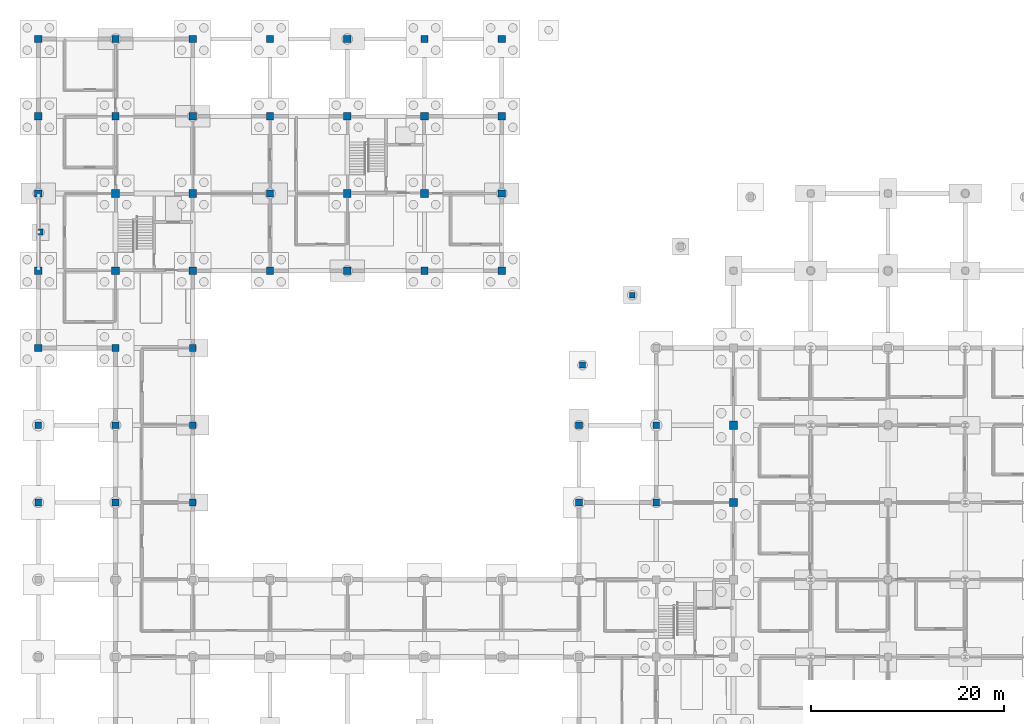
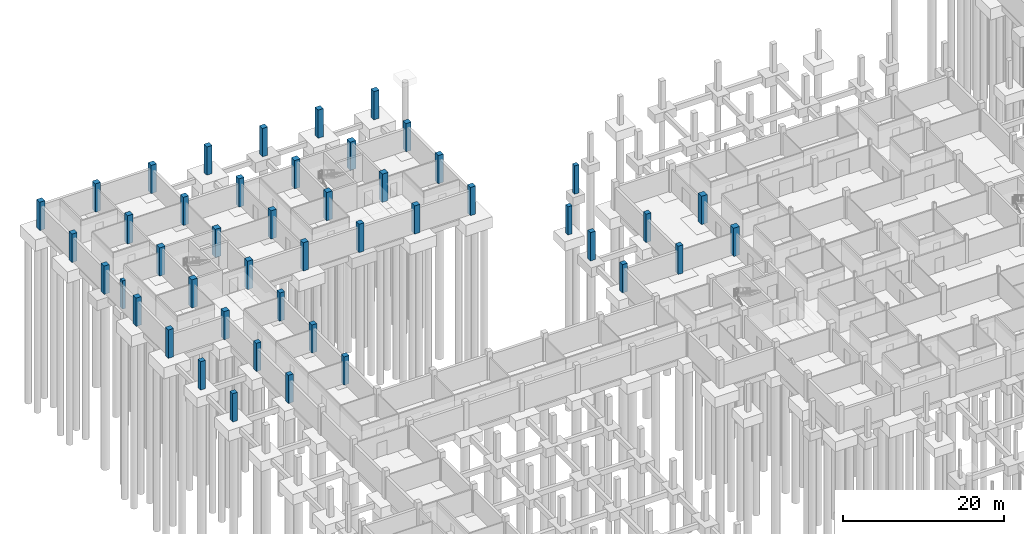
# One storey, part 19 of 48: 46 columns.
"""IFC4 building model written with IfcOpenShell, lengths in metres."""

from ifc_helpers import new_model, si_unit, derived_unit, direction, frame, origin, origin_2d, place, context, subcontext, project, spatial, rectangle, extrude, material, material_profile, profile_set, type_object, element, save


model = new_model("IFC4")

# Units and contexts
model_context = context("Model", 3, precision=1e-05, world=origin(), true_north=direction((0.0, 1.0)))
body_context = subcontext(model_context, "Body", "Model", "MODEL_VIEW")
ifc_project = project(units=[si_unit("LENGTHUNIT", "METRE"), si_unit("AREAUNIT", "SQUARE_METRE"), si_unit("VOLUMEUNIT", "CUBIC_METRE"), si_unit("PLANEANGLEUNIT", "RADIAN"), si_unit("MASSUNIT", "GRAM", prefix="KILO"), derived_unit("THERMALTRANSMITTANCEUNIT", [(si_unit("MASSUNIT", "GRAM", prefix="KILO"), 1), (si_unit("TIMEUNIT", "SECOND"), -3), (si_unit("THERMODYNAMICTEMPERATUREUNIT", "KELVIN"), -1)])], contexts=[model_context])

# Site, building, storey
site_placement = place(None, origin())
site = spatial("IfcSite", under=ifc_project, at=site_placement, CompositionType="ELEMENT")
building_placement = place(site_placement, origin())
building = spatial("IfcBuilding", under=site, at=building_placement, Name="Veyamyaing Civic Hall", CompositionType="ELEMENT")
storey_placement = place(building_placement, frame((0.0, 0.0, -4.2900390625)))
storey = spatial("IfcBuildingStorey", under=building, at=storey_placement, Name="B1", CompositionType="ELEMENT", Elevation=-4.2900390625)

# Columns
ifc_material = material(Name="Concrete C45/55", Category="concrete")
ifc_material_profile_1 = material_profile(ifc_material, rectangle(XDim=0.85009765625, YDim=0.85009765625, at=origin_2d()), Name="RC-COL-850X850")
ifc_profile_set_1 = profile_set([ifc_material_profile_1], Name="Concrete C45/55")
column_type_1 = type_object("IfcColumnType", Name="C-01", PredefinedType="COLUMN", material=ifc_profile_set_1)
for number, where, z_axis, x_axis, name in (
    (1, (72.0, 64.0, 0.0), (0.0, 0.0, 1.0), (1.0, 0.0, 0.0), "Column C-01 10-J B1"),
    (2, (72.0, 72.0, 0.0), (0.0, 0.0, 1.0), (1.0, 0.0, 0.0), "Column C-01 10-K B1"),
):
    element("IfcColumn", number, at=place(storey_placement, frame(where, z_axis=z_axis, x_axis=x_axis)), inside=storey, type_object=column_type_1, Name=name, PredefinedType="COLUMN", context=body_context, shape_type="SweptSolid", body=[
        extrude(rectangle(XDim=0.85009765625, YDim=0.85009765625, at=origin_2d()), origin(), (0.0, 0.0, 1.0), 4.2900390625),
    ])
ifc_material_profile_2 = material_profile(ifc_material, rectangle(XDim=0.800048828125, YDim=0.800048828125, at=origin_2d()), Name="RC-COL-800X800")
ifc_profile_set_2 = profile_set([ifc_material_profile_2], Name="Concrete C45/55")
column_type_2 = type_object("IfcColumnType", Name="C-02", PredefinedType="COLUMN", material=ifc_profile_set_2)
for number, where, z_axis, x_axis, name in (
    (3, (8.0, 88.0, 0.0), (0.0, 0.0, 1.0), (1.0, 0.0, 0.0), "Column C-02 2-M B1"),
    (4, (8.0, 96.0, 0.0), (0.0, 0.0, 1.0), (1.0, 0.0, 0.0), "Column C-02 2-N B1"),
    (5, (16.0, 88.0, 0.0), (0.0, 0.0, 1.0), (1.0, 0.0, 0.0), "Column C-02 3-M B1"),
    (6, (16.0, 96.0, 0.0), (0.0, 0.0, 1.0), (1.0, 0.0, 0.0), "Column C-02 3-N B1"),
    (7, (32.0, 96.0, 0.0), (0.0, 0.0, 1.0), (1.0, 0.0, 0.0), "Column C-02 5-N B1"),
    (8, (32.0, 104.0, 0.0), (0.0, 0.0, 1.0), (1.0, 0.0, 0.0), "Column C-02 5-P B1"),
    (9, (40.0, 96.0, 0.0), (0.0, 0.0, 1.0), (1.0, 0.0, 0.0), "Column C-02 6-N B1"),
    (10, (40.0, 104.0, 0.0), (0.0, 0.0, 1.0), (1.0, 0.0, 0.0), "Column C-02 6-P B1"),
):
    element("IfcColumn", number, at=place(storey_placement, frame(where, z_axis=z_axis, x_axis=x_axis)), inside=storey, type_object=column_type_2, Name=name, PredefinedType="COLUMN", context=body_context, shape_type="SweptSolid", body=[
        extrude(rectangle(XDim=0.800048828125, YDim=0.800048828125, at=origin_2d()), origin(), (0.0, 0.0, 1.0), 4.2900390625),
    ])
ifc_material_profile_3 = material_profile(ifc_material, rectangle(XDim=0.75, YDim=0.75, at=origin_2d()), Name="RC-COL-750X750")
ifc_profile_set_3 = profile_set([ifc_material_profile_3], Name="Concrete C45/55")
column_type_3 = type_object("IfcColumnType", Name="C-03", PredefinedType="COLUMN", material=ifc_profile_set_3)
for number, where, z_axis, x_axis, name in (
    (11, (0.0, 80.0, 0.0), (0.0, 0.0, 1.0), (1.0, 0.0, 0.0), "Column C-03 1-L B1"),
    (12, (0.0, 88.0, 0.0), (0.0, 0.0, 1.0), (1.0, 0.0, 0.0), "Column C-03 1-M B1"),
    (13, (0.0, 96.0, 0.0), (0.0, 0.0, 1.0), (1.0, 0.0, 0.0), "Column C-03 1-N B1"),
    (14, (0.0, 104.0, 0.0), (0.0, 0.0, 1.0), (1.0, 0.0, 0.0), "Column C-03 1-P B1"),
    (15, (0.0, 112.0, 0.0), (0.0, 0.0, 1.0), (1.0, 0.0, 0.0), "Column C-03 1-Q B1"),
    (16, (8.0, 80.0, 0.0), (0.0, 0.0, 1.0), (1.0, 0.0, 0.0), "Column C-03 2-L B1"),
    (17, (8.0, 104.0, 0.0), (0.0, 0.0, 1.0), (1.0, 0.0, 0.0), "Column C-03 2-P B1"),
    (18, (8.0, 112.0, 0.0), (0.0, 0.0, 1.0), (1.0, 0.0, 0.0), "Column C-03 2-Q B1"),
    (19, (16.0, 104.0, 0.0), (0.0, 0.0, 1.0), (1.0, 0.0, 0.0), "Column C-03 3-P B1"),
    (20, (16.0, 112.0, 0.0), (0.0, 0.0, 1.0), (1.0, 0.0, 0.0), "Column C-03 3-Q B1"),
    (21, (24.0, 88.0, 0.0), (0.0, 0.0, 1.0), (1.0, 0.0, 0.0), "Column C-03 4-M B1"),
    (22, (24.0, 96.0, 0.0), (0.0, 0.0, 1.0), (1.0, 0.0, 0.0), "Column C-03 4-N B1"),
    (23, (24.0, 104.0, 0.0), (0.0, 0.0, 1.0), (1.0, 0.0, 0.0), "Column C-03 4-P B1"),
    (24, (24.0, 112.0, 0.0), (0.0, 0.0, 1.0), (1.0, 0.0, 0.0), "Column C-03 4-Q B1"),
    (25, (32.0, 88.0, 0.0), (0.0, 0.0, 1.0), (1.0, 0.0, 0.0), "Column C-03 5-M B1"),
    (26, (32.0, 112.0, 0.0), (0.0, 0.0, 1.0), (1.0, 0.0, 0.0), "Column C-03 5-Q B1"),
    (27, (40.0, 88.0, 0.0), (0.0, 0.0, 1.0), (1.0, 0.0, 0.0), "Column C-03 6-M B1"),
    (28, (40.0, 112.0, 0.0), (0.0, 0.0, 1.0), (1.0, 0.0, 0.0), "Column C-03 6-Q B1"),
    (29, (48.0, 88.0, 0.0), (0.0, 0.0, 1.0), (1.0, 0.0, 0.0), "Column C-03 7-M B1"),
    (30, (48.0, 96.0, 0.0), (0.0, 0.0, 1.0), (1.0, 0.0, 0.0), "Column C-03 7-N B1"),
    (31, (48.0, 104.0, 0.0), (0.0, 0.0, 1.0), (1.0, 0.0, 0.0), "Column C-03 7-P B1"),
    (32, (48.0, 112.0, 0.0), (0.0, 0.0, 1.0), (1.0, 0.0, 0.0), "Column C-03 7-Q B1"),
):
    element("IfcColumn", number, at=place(storey_placement, frame(where, z_axis=z_axis, x_axis=x_axis)), inside=storey, type_object=column_type_3, Name=name, PredefinedType="COLUMN", context=body_context, shape_type="SweptSolid", body=[
        extrude(rectangle(XDim=0.75, YDim=0.75, at=origin_2d()), origin(), (0.0, 0.0, 1.0), 4.2900390625),
    ])
ifc_material_profile_4 = material_profile(ifc_material, rectangle(XDim=0.699951171875, YDim=0.699951171875, at=origin_2d()), Name="RC-COL-700X700")
ifc_profile_set_4 = profile_set([ifc_material_profile_4], Name="Concrete C45/55")
column_type_4 = type_object("IfcColumnType", Name="C-04", PredefinedType="COLUMN", material=ifc_profile_set_4)
for number, where, z_axis, x_axis, name in (
    (33, (0.0, 64.0, 0.0), (0.0, 0.0, 1.0), (1.0, 0.0, 0.0), "Column C-04 1-J B1"),
    (34, (0.0, 72.0, 0.0), (0.0, 0.0, 1.0), (1.0, 0.0, 0.0), "Column C-04 1-K B1"),
    (35, (8.0, 64.0, 0.0), (0.0, 0.0, 1.0), (1.0, 0.0, 0.0), "Column C-04 2-J B1"),
    (36, (8.0, 72.0, 0.0), (0.0, 0.0, 1.0), (1.0, 0.0, 0.0), "Column C-04 2-K B1"),
    (37, (16.0, 64.0, 0.0), (0.0, 0.0, 1.0), (1.0, 0.0, 0.0), "Column C-04 3-J B1"),
    (38, (16.0, 72.0, 0.0), (0.0, 0.0, 1.0), (1.0, 0.0, 0.0), "Column C-04 3-K B1"),
    (39, (16.0, 80.0, 0.0), (0.0, 0.0, 1.0), (1.0, 0.0, 0.0), "Column C-04 3-L B1"),
    (40, (56.0, 64.0, 0.0), (0.0, 0.0, 1.0), (1.0, 0.0, 0.0), "Column C-04 8-J B1"),
    (41, (56.0, 72.0, 0.0), (0.0, 0.0, 1.0), (1.0, 0.0, 0.0), "Column C-04 8-K B1"),
    (42, (64.0, 64.0, 0.0), (0.0, 0.0, 1.0), (1.0, 0.0, 0.0), "Column C-04 9-J B1"),
    (43, (64.0, 72.0, 0.0), (0.0, 0.0, 1.0), (1.0, 0.0, 0.0), "Column C-04 9-K B1"),
):
    element("IfcColumn", number, at=place(storey_placement, frame(where, z_axis=z_axis, x_axis=x_axis)), inside=storey, type_object=column_type_4, Name=name, PredefinedType="COLUMN", context=body_context, shape_type="SweptSolid", body=[
        extrude(rectangle(XDim=0.699951171875, YDim=0.699951171875, at=origin_2d()), origin(), (0.0, 0.0, 1.0), 4.2900390625),
    ])
ifc_material_profile_5 = material_profile(ifc_material, rectangle(XDim=0.60009765625, YDim=0.60009765625, at=origin_2d()), Name="RC-COL-600X600")
ifc_profile_set_5 = profile_set([ifc_material_profile_5], Name="Concrete C45/55")
column_type_5 = type_object("IfcColumnType", Name="C-06", PredefinedType="COLUMN", material=ifc_profile_set_5)
for number, where, z_axis, x_axis, name in (
    (44, (61.5048828125, 85.466552734375, 0.0), (0.0, 0.0, 1.0), (1.0, 0.0, 0.0), "Curved corner column C-06 ARC-NW-09 B1"),
    (45, (56.36376953125, 78.220703125, 0.0), (0.0, 0.0, 1.0), (1.0, 0.0, 0.0), "Curved corner column C-06 ARC-NW-14 B1"),
):
    element("IfcColumn", number, at=place(storey_placement, frame(where, z_axis=z_axis, x_axis=x_axis)), inside=storey, type_object=column_type_5, Name=name, PredefinedType="COLUMN", context=body_context, shape_type="SweptSolid", body=[
        extrude(rectangle(XDim=0.60009765625, YDim=0.60009765625, at=origin_2d()), origin(), (0.0, 0.0, 1.0), 4.2900390625),
    ])
ifc_material_profile_6 = material_profile(ifc_material, rectangle(XDim=0.449951171875, YDim=0.60009765625, at=origin_2d()), Name="RC-PIL-450X600")
ifc_profile_set_6 = profile_set([ifc_material_profile_6], Name="Concrete C45/55")
column_type_6 = type_object("IfcColumnType", Name="C-13", PredefinedType="PILASTER", material=ifc_profile_set_6)
column_placement = place(storey_placement, frame((0.25, 92.0, 0.0), z_axis=(0.0, 0.0, 1.0), x_axis=(1.0, 0.0, 0.0)))
element("IfcColumn", 46, at=column_placement, inside=storey, type_object=column_type_6, Name="Arcade pilaster C-13 PIL-W-11 B1", PredefinedType="PILASTER", context=body_context, shape_type="SweptSolid", body=[
    extrude(rectangle(XDim=0.449951171875, YDim=0.60009765625, at=origin_2d()), origin(), (0.0, 0.0, 1.0), 4.2900390625),
])

save(model, "model.ifc")
